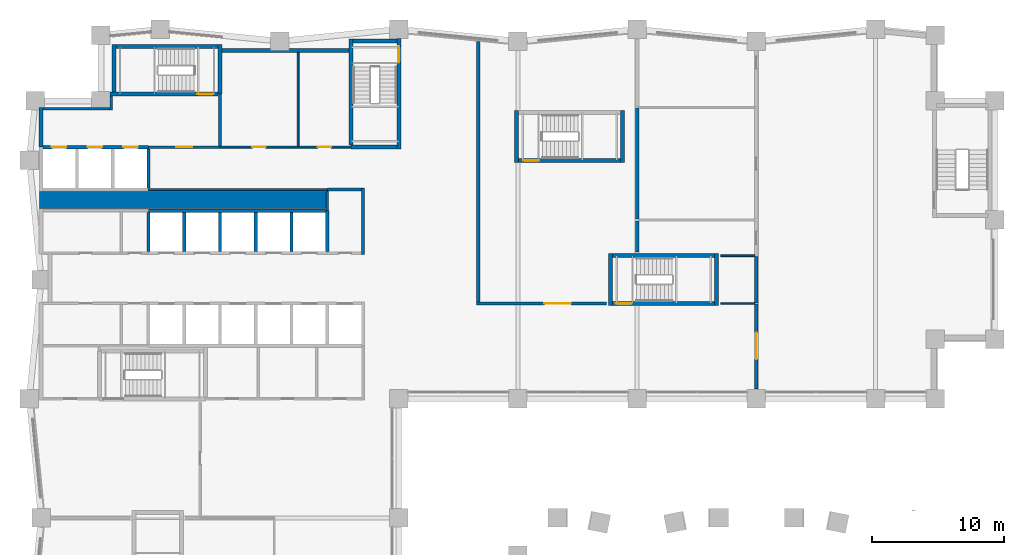
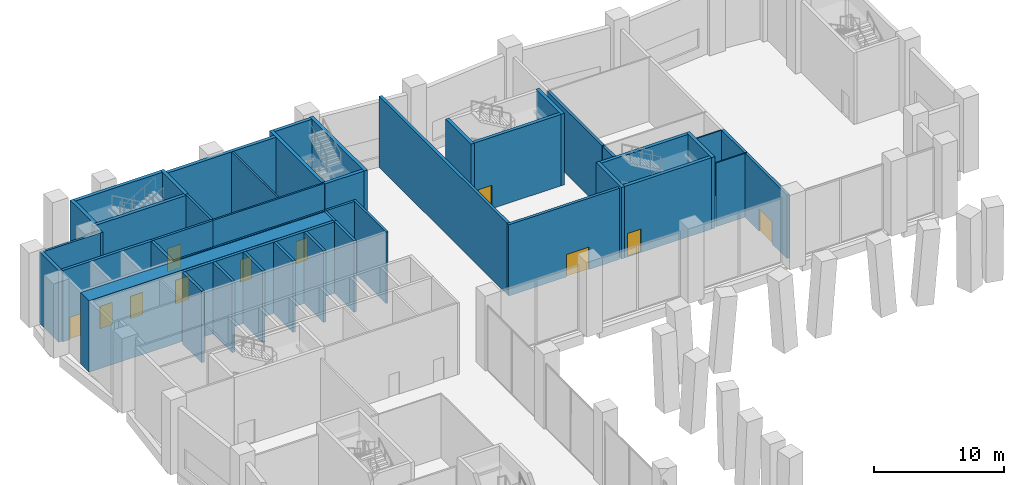
# One storey, part 12 of 18: 45 walls, 12 doors, 12 openings.
"""IFC4 building model written with IfcOpenShell, lengths in metres."""

from ifc_helpers import new_model, si_unit, direction, frame, frame_2d, origin, place, context, subcontext, project, spatial, rectangle, extrude, material, layer, layer_set, type_object, element, fill, save


model = new_model("IFC4")

# Units and contexts
model_context = context("Model", 3, precision=1e-05, world=origin(), true_north=direction((0.0, 1.0)))
body_context = subcontext(model_context, "Body", "Model", "MODEL_VIEW")
ifc_project = project(units=[si_unit("LENGTHUNIT", "METRE"), si_unit("AREAUNIT", "SQUARE_METRE"), si_unit("VOLUMEUNIT", "CUBIC_METRE"), si_unit("PLANEANGLEUNIT", "RADIAN"), si_unit("MASSUNIT", "GRAM", prefix="KILO")], contexts=[model_context])

# Site, building, storey
site_placement = place(None, origin())
site = spatial("IfcSite", under=ifc_project, at=site_placement, CompositionType="ELEMENT")
building_placement = place(site_placement, origin())
building = spatial("IfcBuilding", under=site, at=building_placement, Name="Brondeck Convention Tower", CompositionType="ELEMENT")
storey_placement = place(building_placement, frame((0.0, 0.0, 7.5)))
storey = spatial("IfcBuildingStorey", under=building, at=storey_placement, Name="L01", CompositionType="ELEMENT", Elevation=7.5)

# Walls
ifc_material_1 = material(Name="Concrete C80/95", Category="concrete")
ifc_layer_1 = layer(ifc_material_1, 0.199951171875)
ifc_layer_set_1 = layer_set([ifc_layer_1], Name="Core beam-seat wall 200 Concrete C80/95")
wall_type_1 = type_object("IfcWallType", Name="Core beam-seat wall 200 Concrete C80/95", PredefinedType="SHEAR", material=ifc_layer_set_1)
wall_1_placement = place(storey_placement, frame((24.300048828125, 46.89990234375, 0.0), z_axis=(0.0, 0.0, 1.0), x_axis=(0.0, 1.0, 0.0)))
element("IfcWall", 1, at=wall_1_placement, inside=storey, type_object=wall_type_1, Name="L01 core wall", PredefinedType="SHEAR", context=body_context, shape_type="SweptSolid", body=[
    extrude(rectangle(XDim=5.0, YDim=0.199951171875, at=frame_2d((2.5, 0.0))), origin(), (0.0, 0.0, 1.0), 6.699951171875),
])
ifc_layer_2 = layer(ifc_material_1, 0.300048828125)
ifc_layer_set_2 = layer_set([ifc_layer_2], Name="Core outer wall 300 Concrete C80/95")
wall_type_2 = type_object("IfcWallType", Name="Core outer wall 300 Concrete C80/95", PredefinedType="SHEAR", material=ifc_layer_set_2)
wall_2_placement = place(storey_placement, frame((13.64990234375, 62.300048828125, 0.0), z_axis=(0.0, 0.0, 1.0), x_axis=(1.0, 0.0, 0.0)))
element("IfcWall", 2, at=wall_2_placement, inside=storey, type_object=wall_type_2, Name="L01 core wall", PredefinedType="SHEAR", context=body_context, shape_type="SweptSolid", body=[
    extrude(rectangle(XDim=9.60009765625, YDim=0.300048828125, at=frame_2d((4.800048828125, 0.0))), origin(), (0.0, 0.0, 1.0), 6.699951171875),
])
wall_3_placement = place(storey_placement, frame((0.0, 55.0, 0.0), z_axis=(0.0, 0.0, 1.0), x_axis=(0.0, 1.0, 0.0)))
element("IfcWall", 3, at=wall_3_placement, inside=storey, type_object=wall_type_2, Name="L01 core wall", PredefinedType="SHEAR", context=body_context, shape_type="SweptSolid", body=[
    extrude(rectangle(XDim=3.0, YDim=0.300048828125, at=frame_2d((1.5, 0.0))), origin(), (0.0, 0.0, 1.0), 6.699951171875),
])
ifc_material_2 = material(Name="Fire-rated gypsum board partition")
ifc_layer_3 = layer(ifc_material_2, 0.14990234375)
ifc_layer_set_3 = layer_set([ifc_layer_3], Name="Core partition 150 EI 60")
wall_type_3 = type_object("IfcWallType", Name="Core partition 150 EI 60", PredefinedType="PARTITIONING", material=ifc_layer_set_3)
wall_4_placement = place(storey_placement, frame((8.10009765625, 51.800048828125, 0.0), z_axis=(0.0, 0.0, 1.0), x_axis=(1.0, 0.0, 0.0)))
element("IfcWall", 4, at=wall_4_placement, inside=storey, type_object=wall_type_3, Name="L01 core wall", PredefinedType="PARTITIONING", context=body_context, shape_type="SweptSolid", body=[
    extrude(rectangle(XDim=13.5, YDim=0.14990234375, at=frame_2d((6.75, 0.0))), origin(), (0.0, 0.0, 1.0), 6.699951171875),
])

# Wall, openings, doors
wall_5_placement = place(storey_placement, frame((13.5, 55.0, 0.0), z_axis=(0.0, 0.0, 1.0), x_axis=(1.0, 0.0, 0.0)))
wall_5 = element("IfcWall", 5, at=wall_5_placement, inside=storey, type_object=wall_type_3, Name="L01 core wall", PredefinedType="PARTITIONING", context=body_context, shape_type="SweptSolid", body=[
    extrude(rectangle(XDim=9.89990234375, YDim=0.14990234375, at=frame_2d((4.949951171875, 0.0))), origin(), (0.0, 0.0, 1.0), 6.699951171875),
])
opening_1_placement = place(wall_5_placement, frame((2.449951171875, 0.0, 0.0)))
opening_1 = element("IfcOpeningElement", 6, at=opening_1_placement, cuts=wall_5, Name="Opening C03-11", PredefinedType="OPENING", context=body_context, shape_type="SweptSolid", body=[
    extrude(rectangle(XDim=1.0, YDim=2.10009765625, at=frame_2d((0.5, 1.050048828125))), frame((0.0, 0.0849609375, 0.0), z_axis=(0.0, -1.0, 0.0), x_axis=(1.0, 0.0, 0.0)), (0.0, 0.0, 1.0), 0.169921875),
])
opening_2_placement = place(wall_5_placement, frame((7.39990234375, 0.0, 0.0)))
opening_2 = element("IfcOpeningElement", 7, at=opening_2_placement, cuts=wall_5, Name="Opening C03-12", PredefinedType="OPENING", context=body_context, shape_type="SweptSolid", body=[
    extrude(rectangle(XDim=1.0, YDim=2.10009765625, at=frame_2d((0.5, 1.050048828125))), frame((0.0, 0.0849609375, 0.0), z_axis=(0.0, -1.0, 0.0), x_axis=(1.0, 0.0, 0.0)), (0.0, 0.0, 1.0), 0.169921875),
])
ifc_material_3 = material(Name="Steel fire door", Category="steel")
door_type_1 = type_object("IfcDoorType", Name="Room door 1000x2100 EI 60", OperationType="NOTDEFINED", PredefinedType="DOOR", material=ifc_material_3)
door_1_placement = place(opening_1_placement, origin())
door_1 = element("IfcDoor", 8, at=door_1_placement, inside=storey, type_object=door_type_1, Name="L01 Room door NE-1", OperationType="SINGLE_SWING_LEFT", OverallHeight=2.10009765625, OverallWidth=1.0, PredefinedType="DOOR", context=body_context, shape_type="SweptSolid", body=[
    extrude(rectangle(XDim=1.0, YDim=2.10009765625, at=frame_2d((0.5, 1.050048828125))), frame((0.0, 0.02490234375, 0.0), z_axis=(0.0, -1.0, 0.0), x_axis=(1.0, 0.0, 0.0)), (0.0, 0.0, 1.0), 0.050048828125),
])
fill(opening_1, door_1)
door_2_placement = place(opening_2_placement, origin())
door_2 = element("IfcDoor", 9, at=door_2_placement, inside=storey, type_object=door_type_1, Name="L01 Room door NE-2", OperationType="SINGLE_SWING_RIGHT", OverallHeight=2.10009765625, OverallWidth=1.0, PredefinedType="DOOR", context=body_context, shape_type="SweptSolid", body=[
    extrude(rectangle(XDim=1.0, YDim=2.10009765625, at=frame_2d((0.5, 1.050048828125))), frame((0.0, 0.02490234375, 0.0), z_axis=(0.0, -1.0, 0.0), x_axis=(1.0, 0.0, 0.0)), (0.0, 0.0, 1.0), 0.050048828125),
])
fill(opening_2, door_2)

# Walls
wall_6_placement = place(storey_placement, frame((19.39990234375, 55.074951171875, 0.0), z_axis=(0.0, 0.0, 1.0), x_axis=(0.0, 1.0, 0.0)))
element("IfcWall", 10, at=wall_6_placement, inside=storey, type_object=wall_type_3, Name="L01 core wall", PredefinedType="PARTITIONING", context=body_context, shape_type="SweptSolid", body=[
    extrude(rectangle(XDim=7.074951171875, YDim=0.14990234375, at=frame_2d((3.53759765625, 0.0))), origin(), (0.0, 0.0, 1.0), 6.699951171875),
])
ifc_layer_4 = layer(ifc_material_1, 1.300048828125)
ifc_layer_set_4 = layer_set([ifc_layer_4], Name="Core shear wall 1300 Concrete C80/95")
wall_type_4 = type_object("IfcWallType", Name="Core shear wall 1300 Concrete C80/95", PredefinedType="SHEAR", material=ifc_layer_set_4)
wall_7_placement = place(storey_placement, frame((-0.125, 51.0, 0.0), z_axis=(0.0, 0.0, 1.0), x_axis=(1.0, 0.0, 0.0)))
element("IfcWall", 11, at=wall_7_placement, inside=storey, type_object=wall_type_4, Name="L01 core wall", PredefinedType="SHEAR", context=body_context, shape_type="SweptSolid", body=[
    extrude(rectangle(XDim=21.625, YDim=1.300048828125, at=frame_2d((10.8125, 0.0))), origin(), (0.0, 0.0, 1.0), 6.699951171875),
])

# Wall, opening, door
ifc_material_4 = material(Name="Reinforced masonry fire wall", Category="masonry")
ifc_layer_5 = layer(ifc_material_4, 0.25)
ifc_layer_set_5 = layer_set([ifc_layer_5], Name="Fire wall 250")
wall_type_5 = type_object("IfcWallType", Name="Fire wall 250", PredefinedType="PARTITIONING", material=ifc_layer_set_5)
wall_8_placement = place(storey_placement, frame((54.0, 43.14990234375, 0.0), z_axis=(0.0, 0.0, 1.0), x_axis=(0.0, -1.0, 0.0)))
wall_8 = element("IfcWall", 12, at=wall_8_placement, inside=storey, type_object=wall_type_5, Name="FLR-L01-W010", PredefinedType="PARTITIONING", context=body_context, shape_type="SweptSolid", body=[
    extrude(rectangle(XDim=6.429931640625, YDim=0.25, at=frame_2d((3.21484375, 0.0))), origin(), (0.0, 0.0, 1.0), 5.97998046875),
])
opening_3_placement = place(wall_8_placement, frame((2.14990234375, 0.0, 0.0)))
opening_3 = element("IfcOpeningElement", 13, at=opening_3_placement, cuts=wall_8, Name="Opening P-L01-005", PredefinedType="OPENING", context=body_context, shape_type="SweptSolid", body=[
    extrude(rectangle(XDim=2.0, YDim=2.10009765625, at=frame_2d((1.0, 1.050048828125))), frame((0.0, 0.135009765625, 0.0), z_axis=(0.0, -1.0, 0.0), x_axis=(1.0, 0.0, 0.0)), (0.0, 0.0, 1.0), 0.27001953125),
])
ifc_material_5 = material(Name="Timber fire door pair", Category="wood")
door_type_2 = type_object("IfcDoorType", Name="Assembly hall door pair 2000", OperationType="DOUBLE_DOOR_SINGLE_SWING", PredefinedType="DOOR", material=ifc_material_5)
door_3_placement = place(opening_3_placement, origin())
door_3 = element("IfcDoor", 14, at=door_3_placement, inside=storey, type_object=door_type_2, Name="Door P-L01-005", OperationType="DOUBLE_DOOR_SINGLE_SWING", OverallHeight=2.10009765625, OverallWidth=2.0, PredefinedType="DOOR", context=body_context, shape_type="SweptSolid", body=[
    extrude(rectangle(XDim=2.0, YDim=2.10009765625, at=frame_2d((1.0, 1.050048828125))), frame((0.0, 0.02490234375, 0.0), z_axis=(0.0, -1.0, 0.0), x_axis=(1.0, 0.0, 0.0)), (0.0, 0.0, 1.0), 0.050048828125),
])
fill(opening_3, door_3)

wall_9_placement = place(storey_placement, frame((32.875, 43.199951171875, 0.0), z_axis=(0.0, 0.0, 1.0), x_axis=(1.0, 0.0, 0.0)))
wall_9 = element("IfcWall", 15, at=wall_9_placement, inside=storey, type_object=wall_type_5, Name="FLR-L01-W011", PredefinedType="PARTITIONING", context=body_context, shape_type="SweptSolid", body=[
    extrude(rectangle(XDim=9.824951171875, YDim=0.25, at=frame_2d((4.91259765625, 0.0))), origin(), (0.0, 0.0, 1.0), 6.679931640625),
])
opening_4_placement = place(wall_9_placement, frame((5.125, 0.0, 0.0)))
opening_4 = element("IfcOpeningElement", 16, at=opening_4_placement, cuts=wall_9, Name="Opening P-L01-004", PredefinedType="OPENING", context=body_context, shape_type="SweptSolid", body=[
    extrude(rectangle(XDim=2.0, YDim=2.10009765625, at=frame_2d((1.0, 1.050048828125))), frame((0.0, 0.135009765625, 0.0), z_axis=(0.0, -1.0, 0.0), x_axis=(1.0, 0.0, 0.0)), (0.0, 0.0, 1.0), 0.27001953125),
])
door_4_placement = place(opening_4_placement, origin())
door_4 = element("IfcDoor", 17, at=door_4_placement, inside=storey, type_object=door_type_2, Name="Door P-L01-004", OperationType="DOUBLE_DOOR_SINGLE_SWING", OverallHeight=2.10009765625, OverallWidth=2.0, PredefinedType="DOOR", context=body_context, shape_type="SweptSolid", body=[
    extrude(rectangle(XDim=2.0, YDim=2.10009765625, at=frame_2d((1.0, 1.050048828125))), frame((0.0, 0.02490234375, 0.0), z_axis=(0.0, -1.0, 0.0), x_axis=(1.0, 0.0, 0.0)), (0.0, 0.0, 1.0), 0.050048828125),
])
fill(opening_4, door_4)

# Walls
wall_10_placement = place(storey_placement, frame((54.0, 43.25, 0.0), z_axis=(0.0, 0.0, 1.0), x_axis=(0.0, 1.0, 0.0)))
element("IfcWall", 18, at=wall_10_placement, inside=storey, type_object=wall_type_5, Name="FLR-L01-W013", PredefinedType="PARTITIONING", context=body_context, shape_type="SweptSolid", body=[
    extrude(rectangle(XDim=3.487548828125, YDim=0.25, at=frame_2d((1.74365234375, 0.0))), origin(), (0.0, 0.0, 1.0), 5.97998046875),
])
wall_11_placement = place(storey_placement, frame((45.0, 49.4375, 0.0), z_axis=(0.0, 0.0, 1.0), x_axis=(0.0, -1.0, 0.0)))
element("IfcWall", 19, at=wall_11_placement, inside=storey, type_object=wall_type_5, Name="FLR-L01-W016", PredefinedType="PARTITIONING", context=body_context, shape_type="SweptSolid", body=[
    extrude(rectangle(XDim=2.33740234375, YDim=0.25, at=frame_2d((1.168701171875, 0.0))), origin(), (0.0, 0.0, 1.0), 5.97998046875),
])
wall_12_placement = place(storey_placement, frame((45.0, 57.9375, 0.0), z_axis=(0.0, 0.0, 1.0), x_axis=(0.0, -1.0, 0.0)))
element("IfcWall", 20, at=wall_12_placement, inside=storey, type_object=wall_type_5, Name="FLR-L01-W019", PredefinedType="PARTITIONING", context=body_context, shape_type="SweptSolid", body=[
    extrude(rectangle(XDim=8.375, YDim=0.25, at=frame_2d((4.1875, 0.0))), origin(), (0.0, 0.0, 1.0), 5.97998046875),
])
wall_13_placement = place(storey_placement, frame((33.0, 62.978515625, 0.0), z_axis=(0.0, 0.0, 1.0), x_axis=(0.0, -1.0, 0.0)))
element("IfcWall", 21, at=wall_13_placement, inside=storey, type_object=wall_type_5, Name="FLR-L01-W022", PredefinedType="PARTITIONING", context=body_context, shape_type="SweptSolid", body=[
    extrude(rectangle(XDim=19.653564453125, YDim=0.25, at=frame_2d((9.82666015625, 0.0))), origin(), (0.0, 0.0, 1.0), 6.679931640625),
])

# Wall, opening, door
ifc_layer_6 = layer(ifc_material_2, 0.199951171875)
ifc_layer_set_6 = layer_set([ifc_layer_6], Name="Firefighting lobby wall 200 EI 120")
wall_type_6 = type_object("IfcWallType", Name="Firefighting lobby wall 200 EI 120", PredefinedType="PARTITIONING", material=ifc_layer_set_6)
wall_14_placement = place(storey_placement, frame((8.10009765625, 55.0, 0.0), z_axis=(0.0, 0.0, 1.0), x_axis=(1.0, 0.0, 0.0)))
wall_14 = element("IfcWall", 22, at=wall_14_placement, inside=storey, type_object=wall_type_6, Name="L01 core wall", PredefinedType="PARTITIONING", context=body_context, shape_type="SweptSolid", body=[
    extrude(rectangle(XDim=5.39990234375, YDim=0.199951171875, at=frame_2d((2.699951171875, 0.0))), origin(), (0.0, 0.0, 1.0), 6.699951171875),
])
opening_5_placement = place(wall_14_placement, frame((2.10009765625, 0.0, 0.0)))
opening_5 = element("IfcOpeningElement", 23, at=opening_5_placement, cuts=wall_14, Name="Opening C03-01", PredefinedType="OPENING", context=body_context, shape_type="SweptSolid", body=[
    extrude(rectangle(XDim=1.199951171875, YDim=2.199951171875, at=frame_2d((0.60009765625, 1.10009765625))), frame((0.0, 0.10986328125, 0.0), z_axis=(0.0, -1.0, 0.0), x_axis=(1.0, 0.0, 0.0)), (0.0, 0.0, 1.0), 0.219970703125),
])
door_type_3 = type_object("IfcDoorType", Name="Firefighting lobby door 1200x2200 EI 120", OperationType="NOTDEFINED", PredefinedType="DOOR", material=ifc_material_3)
door_5_placement = place(opening_5_placement, origin())
door_5 = element("IfcDoor", 24, at=door_5_placement, inside=storey, type_object=door_type_3, Name="L01 Firefighting lobby door FFL-1", OperationType="SINGLE_SWING_RIGHT", OverallHeight=2.199951171875, OverallWidth=1.199951171875, PredefinedType="DOOR", context=body_context, shape_type="SweptSolid", body=[
    extrude(rectangle(XDim=1.199951171875, YDim=2.199951171875, at=frame_2d((0.60009765625, 1.10009765625))), frame((0.0, 0.02490234375, 0.0), z_axis=(0.0, -1.0, 0.0), x_axis=(1.0, 0.0, 0.0)), (0.0, 0.0, 1.0), 0.050048828125),
])
fill(opening_5, door_5)

# Walls
wall_15_placement = place(storey_placement, frame((0.14990234375, 57.89990234375, 0.0), z_axis=(0.0, 0.0, 1.0), x_axis=(1.0, 0.0, 0.0)))
element("IfcWall", 25, at=wall_15_placement, inside=storey, type_object=wall_type_6, Name="L01 core wall", PredefinedType="PARTITIONING", context=body_context, shape_type="SweptSolid", body=[
    extrude(rectangle(XDim=5.050048828125, YDim=0.199951171875, at=frame_2d((2.52490234375, 0.0))), origin(), (0.0, 0.0, 1.0), 6.699951171875),
])
wall_16_placement = place(storey_placement, frame((5.300048828125, 57.800048828125, 0.0), z_axis=(0.0, 0.0, 1.0), x_axis=(0.0, 1.0, 0.0)))
element("IfcWall", 26, at=wall_16_placement, inside=storey, type_object=wall_type_6, Name="L01 core wall", PredefinedType="PARTITIONING", context=body_context, shape_type="SweptSolid", body=[
    extrude(rectangle(XDim=1.050048828125, YDim=0.199951171875, at=frame_2d((0.52490234375, 0.0))), origin(), (0.0, 0.0, 1.0), 6.699951171875),
])
wall_17_placement = place(storey_placement, frame((13.5, 55.10009765625, 0.0), z_axis=(0.0, 0.0, 1.0), x_axis=(0.0, 1.0, 0.0)))
element("IfcWall", 27, at=wall_17_placement, inside=storey, type_object=wall_type_6, Name="L01 core wall", PredefinedType="PARTITIONING", context=body_context, shape_type="SweptSolid", body=[
    extrude(rectangle(XDim=3.89990234375, YDim=0.199951171875, at=frame_2d((1.949951171875, 0.0))), origin(), (0.0, 0.0, 1.0), 6.699951171875),
])
ifc_layer_7 = layer(ifc_material_1, 0.25)
ifc_layer_set_7 = layer_set([ifc_layer_7], Name="Lift shaft wall 250 Concrete C80/95")
wall_type_7 = type_object("IfcWallType", Name="Lift shaft wall 250 Concrete C80/95", PredefinedType="SHEAR", material=ifc_layer_set_7)
wall_18_placement = place(storey_placement, frame((8.10009765625, 50.199951171875, 0.0), z_axis=(0.0, 0.0, 1.0), x_axis=(1.0, 0.0, 0.0)))
element("IfcWall", 28, at=wall_18_placement, inside=storey, type_object=wall_type_7, Name="L01 core wall", PredefinedType="SHEAR", context=body_context, shape_type="SweptSolid", body=[
    extrude(rectangle(XDim=13.375, YDim=0.25, at=frame_2d((6.6875, 0.0))), origin(), (0.0, 0.0, 1.0), 6.699951171875),
])

# Wall, openings, doors
wall_19_placement = place(storey_placement, frame((0.14990234375, 55.0, 0.0), z_axis=(0.0, 0.0, 1.0), x_axis=(1.0, 0.0, 0.0)))
wall_19 = element("IfcWall", 29, at=wall_19_placement, inside=storey, type_object=wall_type_7, Name="L01 core wall", PredefinedType="SHEAR", context=body_context, shape_type="SweptSolid", body=[
    extrude(rectangle(XDim=7.9501953125, YDim=0.25, at=frame_2d((3.97509765625, 0.0))), origin(), (0.0, 0.0, 1.0), 6.699951171875),
])
opening_6_placement = place(wall_19_placement, frame((0.64990234375, 0.0, 0.0)))
opening_6 = element("IfcOpeningElement", 30, at=opening_6_placement, cuts=wall_19, Name="Opening C03-22", PredefinedType="OPENING", context=body_context, shape_type="SweptSolid", body=[
    extrude(rectangle(XDim=1.10009765625, YDim=2.10009765625, at=frame_2d((0.550048828125, 1.050048828125))), frame((0.0, 0.135009765625, 0.0), z_axis=(0.0, -1.0, 0.0), x_axis=(1.0, 0.0, 0.0)), (0.0, 0.0, 1.0), 0.27001953125),
])
opening_7_placement = place(wall_19_placement, frame((3.35009765625, 0.0, 0.0)))
opening_7 = element("IfcOpeningElement", 31, at=opening_7_placement, cuts=wall_19, Name="Opening C03-23", PredefinedType="OPENING", context=body_context, shape_type="SweptSolid", body=[
    extrude(rectangle(XDim=1.10009765625, YDim=2.10009765625, at=frame_2d((0.550048828125, 1.050048828125))), frame((0.0, 0.135009765625, 0.0), z_axis=(0.0, -1.0, 0.0), x_axis=(1.0, 0.0, 0.0)), (0.0, 0.0, 1.0), 0.27001953125),
])
opening_8_placement = place(wall_19_placement, frame((6.050048828125, 0.0, 0.0)))
opening_8 = element("IfcOpeningElement", 32, at=opening_8_placement, cuts=wall_19, Name="Opening C03-24", PredefinedType="OPENING", context=body_context, shape_type="SweptSolid", body=[
    extrude(rectangle(XDim=1.10009765625, YDim=2.10009765625, at=frame_2d((0.550048828125, 1.050048828125))), frame((0.0, 0.135009765625, 0.0), z_axis=(0.0, -1.0, 0.0), x_axis=(1.0, 0.0, 0.0)), (0.0, 0.0, 1.0), 0.27001953125),
])
ifc_material_6 = material(Name="Stainless steel lift door", Category="steel")
door_type_4 = type_object("IfcDoorType", Name="Lift landing door 1100x2100 EI 180", OperationType="DOUBLE_DOOR_SLIDING", PredefinedType="DOOR", material=ifc_material_6)
door_6_placement = place(opening_6_placement, origin())
door_6 = element("IfcDoor", 33, at=door_6_placement, inside=storey, type_object=door_type_4, Name="L01 Lift landing door FF1", OperationType="DOUBLE_DOOR_SLIDING", OverallHeight=2.10009765625, OverallWidth=1.10009765625, PredefinedType="DOOR", context=body_context, shape_type="SweptSolid", body=[
    extrude(rectangle(XDim=1.10009765625, YDim=2.10009765625, at=frame_2d((0.550048828125, 1.050048828125))), frame((0.0, 0.02490234375, 0.0), z_axis=(0.0, -1.0, 0.0), x_axis=(1.0, 0.0, 0.0)), (0.0, 0.0, 1.0), 0.050048828125),
])
fill(opening_6, door_6)
door_7_placement = place(opening_7_placement, origin())
door_7 = element("IfcDoor", 34, at=door_7_placement, inside=storey, type_object=door_type_4, Name="L01 Lift landing door FF2", OperationType="DOUBLE_DOOR_SLIDING", OverallHeight=2.10009765625, OverallWidth=1.10009765625, PredefinedType="DOOR", context=body_context, shape_type="SweptSolid", body=[
    extrude(rectangle(XDim=1.10009765625, YDim=2.10009765625, at=frame_2d((0.550048828125, 1.050048828125))), frame((0.0, 0.02490234375, 0.0), z_axis=(0.0, -1.0, 0.0), x_axis=(1.0, 0.0, 0.0)), (0.0, 0.0, 1.0), 0.050048828125),
])
fill(opening_7, door_7)
door_8_placement = place(opening_8_placement, origin())
door_8 = element("IfcDoor", 35, at=door_8_placement, inside=storey, type_object=door_type_4, Name="L01 Lift landing door FF3", OperationType="DOUBLE_DOOR_SLIDING", OverallHeight=2.10009765625, OverallWidth=1.10009765625, PredefinedType="DOOR", context=body_context, shape_type="SweptSolid", body=[
    extrude(rectangle(XDim=1.10009765625, YDim=2.10009765625, at=frame_2d((0.550048828125, 1.050048828125))), frame((0.0, 0.02490234375, 0.0), z_axis=(0.0, -1.0, 0.0), x_axis=(1.0, 0.0, 0.0)), (0.0, 0.0, 1.0), 0.050048828125),
])
fill(opening_8, door_8)

# Walls
for number, where, z_axis, x_axis, name in (
    (36, (8.10009765625, 47.125, 0.0), (0.0, 0.0, 1.0), (0.0, 1.0, 0.0), "L01 core wall"),
    (37, (8.10009765625, 51.925048828125, 0.0), (0.0, 0.0, 1.0), (0.0, 1.0, 0.0), "L01 core wall"),
    (38, (10.800048828125, 47.125, 0.0), (0.0, 0.0, 1.0), (0.0, 1.0, 0.0), "L01 core wall"),
    (39, (13.5, 47.125, 0.0), (0.0, 0.0, 1.0), (0.0, 1.0, 0.0), "L01 core wall"),
    (40, (16.199951171875, 47.125, 0.0), (0.0, 0.0, 1.0), (0.0, 1.0, 0.0), "L01 core wall"),
    (41, (18.89990234375, 47.125, 0.0), (0.0, 0.0, 1.0), (0.0, 1.0, 0.0), "L01 core wall"),
):
    element("IfcWall", number, at=place(storey_placement, frame(where, z_axis=z_axis, x_axis=x_axis)), inside=storey, type_object=wall_type_7, Name=name, PredefinedType="SHEAR", context=body_context, shape_type="SweptSolid", body=[
        extrude(rectangle(XDim=2.949951171875, YDim=0.25, at=frame_2d((1.47509765625, 0.0))), origin(), (0.0, 0.0, 1.0), 6.699951171875),
    ])
wall_20_placement = place(storey_placement, frame((21.60009765625, 47.125, 0.0), z_axis=(0.0, 0.0, 1.0), x_axis=(0.0, 1.0, 0.0)))
element("IfcWall", 42, at=wall_20_placement, inside=storey, type_object=wall_type_7, Name="L01 core wall", PredefinedType="SHEAR", context=body_context, shape_type="SweptSolid", body=[
    extrude(rectangle(XDim=3.074951171875, YDim=0.25, at=frame_2d((1.53759765625, 0.0))), origin(), (0.0, 0.0, 1.0), 6.699951171875),
])
ifc_material_7 = material(Name="Gypsum board shaft wall on steel studs", Category="steel")
ifc_layer_8 = layer(ifc_material_7, 0.125)
ifc_layer_set_8 = layer_set([ifc_layer_8], Name="Riser wall 125")
wall_type_8 = type_object("IfcWallType", Name="Riser wall 125", PredefinedType="PARTITIONING", material=ifc_layer_set_8)
wall_21_placement = place(storey_placement, frame((53.875, 46.800048828125, 0.0), z_axis=(0.0, 0.0, 1.0), x_axis=(-1.0, 0.0, 0.0)))
element("IfcWall", 43, at=wall_21_placement, inside=storey, type_object=wall_type_8, Name="FLR-L01-W014", PredefinedType="PARTITIONING", context=body_context, shape_type="SweptSolid", body=[
    extrude(rectangle(XDim=2.574951171875, YDim=0.125, at=frame_2d((1.28759765625, 0.0))), origin(), (0.0, 0.0, 1.0), 5.97998046875),
])
ifc_layer_9 = layer(ifc_material_2, 0.199951171875)
ifc_layer_set_9 = layer_set([ifc_layer_9], Name="Riser wall 200 EI 120")
wall_type_9 = type_object("IfcWallType", Name="Riser wall 200 EI 120", PredefinedType="PARTITIONING", material=ifc_layer_set_9)
wall_22_placement = place(storey_placement, frame((21.60009765625, 51.800048828125, 0.0), z_axis=(0.0, 0.0, 1.0), x_axis=(1.0, 0.0, 0.0)))
element("IfcWall", 44, at=wall_22_placement, inside=storey, type_object=wall_type_9, Name="L01 core wall", PredefinedType="PARTITIONING", context=body_context, shape_type="SweptSolid", body=[
    extrude(rectangle(XDim=2.599853515625, YDim=0.199951171875, at=frame_2d((1.2998046875, 0.0))), origin(), (0.0, 0.0, 1.0), 6.699951171875),
])
wall_23_placement = place(storey_placement, frame((21.60009765625, 50.199951171875, 0.0), z_axis=(0.0, 0.0, 1.0), x_axis=(0.0, 1.0, 0.0)))
element("IfcWall", 45, at=wall_23_placement, inside=storey, type_object=wall_type_9, Name="L01 core wall", PredefinedType="PARTITIONING", context=body_context, shape_type="SweptSolid", body=[
    extrude(rectangle(XDim=1.5, YDim=0.199951171875, at=frame_2d((0.75, 0.0))), origin(), (0.0, 0.0, 1.0), 6.699951171875),
])
ifc_material_8 = material(Name="Gypsum board partition on steel studs", Category="steel")
ifc_layer_10 = layer(ifc_material_8, 0.10009765625)
ifc_layer_set_10 = layer_set([ifc_layer_10], Name="Room partition 100")
wall_type_10 = type_object("IfcWallType", Name="Room partition 100", PredefinedType="PARTITIONING", material=ifc_layer_set_10)
wall_24_placement = place(storey_placement, frame((51.300048828125, 43.199951171875, 0.0), z_axis=(0.0, 0.0, 1.0), x_axis=(1.0, 0.0, 0.0)))
element("IfcWall", 46, at=wall_24_placement, inside=storey, type_object=wall_type_10, Name="FLR-L01-W012", PredefinedType="PARTITIONING", context=body_context, shape_type="SweptSolid", body=[
    extrude(rectangle(XDim=2.574951171875, YDim=0.10009765625, at=frame_2d((1.28759765625, 0.0))), origin(), (0.0, 0.0, 1.0), 5.97998046875),
])

# Wall, opening, door
ifc_layer_11 = layer(ifc_material_1, 0.300048828125)
ifc_layer_set_11 = layer_set([ifc_layer_11], Name="Stair enclosure wall 300 Concrete C80/95")
wall_type_11 = type_object("IfcWallType", Name="Stair enclosure wall 300 Concrete C80/95", PredefinedType="SHEAR", material=ifc_layer_set_11)
wall_25_placement = place(storey_placement, frame((43.14990234375, 43.199951171875, 0.0), z_axis=(0.0, 0.0, 1.0), x_axis=(1.0, 0.0, 0.0)))
wall_25 = element("IfcWall", 47, at=wall_25_placement, inside=storey, type_object=wall_type_11, Name="L01 core wall", PredefinedType="SHEAR", context=body_context, shape_type="SweptSolid", body=[
    extrude(rectangle(XDim=7.7001953125, YDim=0.300048828125, at=frame_2d((3.85009765625, 0.0))), origin(), (0.0, 0.0, 1.0), 6.699951171875),
])
opening_9_placement = place(wall_25_placement, frame((0.25, 0.0, 0.0)))
opening_9 = element("IfcOpeningElement", 48, at=opening_9_placement, cuts=wall_25, Name="Opening C03-19", PredefinedType="OPENING", context=body_context, shape_type="SweptSolid", body=[
    extrude(rectangle(XDim=1.199951171875, YDim=2.199951171875, at=frame_2d((0.60009765625, 1.10009765625))), frame((0.0, 0.159912109375, 0.0), z_axis=(0.0, -1.0, 0.0), x_axis=(1.0, 0.0, 0.0)), (0.0, 0.0, 1.0), 0.320068359375),
])
door_type_5 = type_object("IfcDoorType", Name="Stair door 1200x2200 EI 90", OperationType="NOTDEFINED", PredefinedType="DOOR", material=ifc_material_3)
door_9_placement = place(opening_9_placement, origin())
door_9 = element("IfcDoor", 49, at=door_9_placement, inside=storey, type_object=door_type_5, Name="L01 Stair door ST-AF", OperationType="SINGLE_SWING_RIGHT", OverallHeight=2.199951171875, OverallWidth=1.199951171875, PredefinedType="DOOR", context=body_context, shape_type="SweptSolid", body=[
    extrude(rectangle(XDim=1.199951171875, YDim=2.199951171875, at=frame_2d((0.60009765625, 1.10009765625))), frame((0.0, 0.02490234375, 0.0), z_axis=(0.0, -1.0, 0.0), x_axis=(1.0, 0.0, 0.0)), (0.0, 0.0, 1.0), 0.050048828125),
])
fill(opening_9, door_9)

# Wall
wall_26_placement = place(storey_placement, frame((43.14990234375, 46.800048828125, 0.0), z_axis=(0.0, 0.0, 1.0), x_axis=(1.0, 0.0, 0.0)))
element("IfcWall", 50, at=wall_26_placement, inside=storey, type_object=wall_type_11, Name="L01 core wall", PredefinedType="SHEAR", context=body_context, shape_type="SweptSolid", body=[
    extrude(rectangle(XDim=7.7001953125, YDim=0.300048828125, at=frame_2d((3.85009765625, 0.0))), origin(), (0.0, 0.0, 1.0), 6.699951171875),
])

# Wall, opening, door
wall_27_placement = place(storey_placement, frame((36.050048828125, 54.0, 0.0), z_axis=(0.0, 0.0, 1.0), x_axis=(1.0, 0.0, 0.0)))
wall_27 = element("IfcWall", 51, at=wall_27_placement, inside=storey, type_object=wall_type_11, Name="L01 core wall", PredefinedType="SHEAR", context=body_context, shape_type="SweptSolid", body=[
    extrude(rectangle(XDim=7.699951171875, YDim=0.300048828125, at=frame_2d((3.85009765625, 0.0))), origin(), (0.0, 0.0, 1.0), 6.699951171875),
])
opening_10_placement = place(wall_27_placement, frame((0.35009765625, 0.0, 0.0)))
opening_10 = element("IfcOpeningElement", 52, at=opening_10_placement, cuts=wall_27, Name="Opening C03-18", PredefinedType="OPENING", context=body_context, shape_type="SweptSolid", body=[
    extrude(rectangle(XDim=1.199951171875, YDim=2.199951171875, at=frame_2d((0.60009765625, 1.10009765625))), frame((0.0, 0.159912109375, 0.0), z_axis=(0.0, -1.0, 0.0), x_axis=(1.0, 0.0, 0.0)), (0.0, 0.0, 1.0), 0.320068359375),
])
door_10_placement = place(opening_10_placement, origin())
door_10 = element("IfcDoor", 53, at=door_10_placement, inside=storey, type_object=door_type_5, Name="L01 Stair door ST-AE", OperationType="SINGLE_SWING_LEFT", OverallHeight=2.199951171875, OverallWidth=1.199951171875, PredefinedType="DOOR", context=body_context, shape_type="SweptSolid", body=[
    extrude(rectangle(XDim=1.199951171875, YDim=2.199951171875, at=frame_2d((0.60009765625, 1.10009765625))), frame((0.0, 0.02490234375, 0.0), z_axis=(0.0, -1.0, 0.0), x_axis=(1.0, 0.0, 0.0)), (0.0, 0.0, 1.0), 0.050048828125),
])
fill(opening_10, door_10)

# Wall
wall_28_placement = place(storey_placement, frame((23.39990234375, 55.0, 0.0), z_axis=(0.0, 0.0, 1.0), x_axis=(1.0, 0.0, 0.0)))
element("IfcWall", 54, at=wall_28_placement, inside=storey, type_object=wall_type_11, Name="L01 core wall", PredefinedType="SHEAR", context=body_context, shape_type="SweptSolid", body=[
    extrude(rectangle(XDim=3.4501953125, YDim=0.300048828125, at=frame_2d((1.72509765625, 0.0))), origin(), (0.0, 0.0, 1.0), 6.699951171875),
])

# Wall, opening, door
wall_29_placement = place(storey_placement, frame((5.199951171875, 59.0, 0.0), z_axis=(0.0, 0.0, 1.0), x_axis=(1.0, 0.0, 0.0)))
wall_29 = element("IfcWall", 55, at=wall_29_placement, inside=storey, type_object=wall_type_11, Name="L01 core wall", PredefinedType="SHEAR", context=body_context, shape_type="SweptSolid", body=[
    extrude(rectangle(XDim=8.150146484375, YDim=0.300048828125, at=frame_2d((4.0751953125, 0.0))), origin(), (0.0, 0.0, 1.0), 6.699951171875),
])
opening_11_placement = place(wall_29_placement, frame((6.60009765625, 0.0, 0.0)))
opening_11 = element("IfcOpeningElement", 56, at=opening_11_placement, cuts=wall_29, Name="Opening C03-17", PredefinedType="OPENING", context=body_context, shape_type="SweptSolid", body=[
    extrude(rectangle(XDim=1.199951171875, YDim=2.199951171875, at=frame_2d((0.60009765625, 1.10009765625))), frame((0.0, 0.159912109375, 0.0), z_axis=(0.0, -1.0, 0.0), x_axis=(1.0, 0.0, 0.0)), (0.0, 0.0, 1.0), 0.320068359375),
])
door_type_6 = type_object("IfcDoorType", Name="Stair door 1200x2200 EI 120", OperationType="NOTDEFINED", PredefinedType="DOOR", material=ifc_material_3)
door_11_placement = place(opening_11_placement, origin())
door_11 = element("IfcDoor", 57, at=door_11_placement, inside=storey, type_object=door_type_6, Name="L01 Stair door ST-3", OperationType="SINGLE_SWING_RIGHT", OverallHeight=2.199951171875, OverallWidth=1.199951171875, PredefinedType="DOOR", context=body_context, shape_type="SweptSolid", body=[
    extrude(rectangle(XDim=1.199951171875, YDim=2.199951171875, at=frame_2d((0.60009765625, 1.10009765625))), frame((0.0, 0.02490234375, 0.0), z_axis=(0.0, -1.0, 0.0), x_axis=(1.0, 0.0, 0.0)), (0.0, 0.0, 1.0), 0.050048828125),
])
fill(opening_11, door_11)

# Walls
wall_30_placement = place(storey_placement, frame((5.64990234375, 62.60009765625, 0.0), z_axis=(0.0, 0.0, 1.0), x_axis=(1.0, 0.0, 0.0)))
element("IfcWall", 58, at=wall_30_placement, inside=storey, type_object=wall_type_11, Name="L01 core wall", PredefinedType="SHEAR", context=body_context, shape_type="SweptSolid", body=[
    extrude(rectangle(XDim=7.7001953125, YDim=0.300048828125, at=frame_2d((3.85009765625, 0.0))), origin(), (0.0, 0.0, 1.0), 6.699951171875),
])
wall_31_placement = place(storey_placement, frame((23.550048828125, 63.0, 0.0), z_axis=(0.0, 0.0, 1.0), x_axis=(1.0, 0.0, 0.0)))
element("IfcWall", 59, at=wall_31_placement, inside=storey, type_object=wall_type_11, Name="L01 core wall", PredefinedType="SHEAR", context=body_context, shape_type="SweptSolid", body=[
    extrude(rectangle(XDim=3.300048828125, YDim=0.300048828125, at=frame_2d((1.64990234375, 0.0))), origin(), (0.0, 0.0, 1.0), 6.699951171875),
])
wall_32_placement = place(storey_placement, frame((5.5, 59.14990234375, 0.0), z_axis=(0.0, 0.0, 1.0), x_axis=(0.0, 1.0, 0.0)))
element("IfcWall", 60, at=wall_32_placement, inside=storey, type_object=wall_type_11, Name="L01 core wall", PredefinedType="SHEAR", context=body_context, shape_type="SweptSolid", body=[
    extrude(rectangle(XDim=3.60009765625, YDim=0.300048828125, at=frame_2d((1.800048828125, 0.0))), origin(), (0.0, 0.0, 1.0), 6.699951171875),
])
wall_33_placement = place(storey_placement, frame((13.5, 59.0, 0.0), z_axis=(0.0, 0.0, 1.0), x_axis=(0.0, 1.0, 0.0)))
element("IfcWall", 61, at=wall_33_placement, inside=storey, type_object=wall_type_11, Name="L01 core wall", PredefinedType="SHEAR", context=body_context, shape_type="SweptSolid", body=[
    extrude(rectangle(XDim=3.75, YDim=0.300048828125, at=frame_2d((1.875, 0.0))), origin(), (0.0, 0.0, 1.0), 6.699951171875),
])
wall_34_placement = place(storey_placement, frame((23.39990234375, 55.14990234375, 0.0), z_axis=(0.0, 0.0, 1.0), x_axis=(0.0, 1.0, 0.0)))
element("IfcWall", 62, at=wall_34_placement, inside=storey, type_object=wall_type_11, Name="L01 core wall", PredefinedType="SHEAR", context=body_context, shape_type="SweptSolid", body=[
    extrude(rectangle(XDim=8.0, YDim=0.300048828125, at=frame_2d((4.0, 0.0))), origin(), (0.0, 0.0, 1.0), 6.699951171875),
])

# Wall, opening, door
wall_35_placement = place(storey_placement, frame((27.0, 54.85009765625, 0.0), z_axis=(0.0, 0.0, 1.0), x_axis=(0.0, 1.0, 0.0)))
wall_35 = element("IfcWall", 63, at=wall_35_placement, inside=storey, type_object=wall_type_11, Name="L01 core wall", PredefinedType="SHEAR", context=body_context, shape_type="SweptSolid", body=[
    extrude(rectangle(XDim=8.349853515625, YDim=0.300048828125, at=frame_2d((4.1748046875, 0.0))), origin(), (0.0, 0.0, 1.0), 6.699951171875),
])
opening_12_placement = place(wall_35_placement, frame((6.550048828125, 0.0, 0.0)))
opening_12 = element("IfcOpeningElement", 64, at=opening_12_placement, cuts=wall_35, Name="Opening C03-16", PredefinedType="OPENING", context=body_context, shape_type="SweptSolid", body=[
    extrude(rectangle(XDim=1.199951171875, YDim=2.199951171875, at=frame_2d((0.60009765625, 1.10009765625))), frame((0.0, 0.159912109375, 0.0), z_axis=(0.0, -1.0, 0.0), x_axis=(1.0, 0.0, 0.0)), (0.0, 0.0, 1.0), 0.320068359375),
])
door_12_placement = place(opening_12_placement, origin())
door_12 = element("IfcDoor", 65, at=door_12_placement, inside=storey, type_object=door_type_5, Name="L01 Stair door ST-2", OperationType="SINGLE_SWING_LEFT", OverallHeight=2.199951171875, OverallWidth=1.199951171875, PredefinedType="DOOR", context=body_context, shape_type="SweptSolid", body=[
    extrude(rectangle(XDim=1.199951171875, YDim=2.199951171875, at=frame_2d((0.60009765625, 1.10009765625))), frame((0.0, 0.02490234375, 0.0), z_axis=(0.0, -1.0, 0.0), x_axis=(1.0, 0.0, 0.0)), (0.0, 0.0, 1.0), 0.050048828125),
])
fill(opening_12, door_12)

# Walls
for number, where, z_axis, x_axis, name in (
    (66, (35.89990234375, 53.85009765625, 0.0), (0.0, 0.0, 1.0), (0.0, 1.0, 0.0), "L01 core wall"),
    (67, (43.0, 43.050048828125, 0.0), (0.0, 0.0, 1.0), (0.0, 1.0, 0.0), "L01 core wall"),
    (68, (43.89990234375, 53.85009765625, 0.0), (0.0, 0.0, 1.0), (0.0, 1.0, 0.0), "L01 core wall"),
    (69, (51.0, 43.050048828125, 0.0), (0.0, 0.0, 1.0), (0.0, 1.0, 0.0), "L01 core wall"),
):
    element("IfcWall", number, at=place(storey_placement, frame(where, z_axis=z_axis, x_axis=x_axis)), inside=storey, type_object=wall_type_11, Name=name, PredefinedType="SHEAR", context=body_context, shape_type="SweptSolid", body=[
        extrude(rectangle(XDim=3.89990234375, YDim=0.300048828125, at=frame_2d((1.949951171875, 0.0))), origin(), (0.0, 0.0, 1.0), 6.699951171875),
    ])

save(model, "model.ifc")
